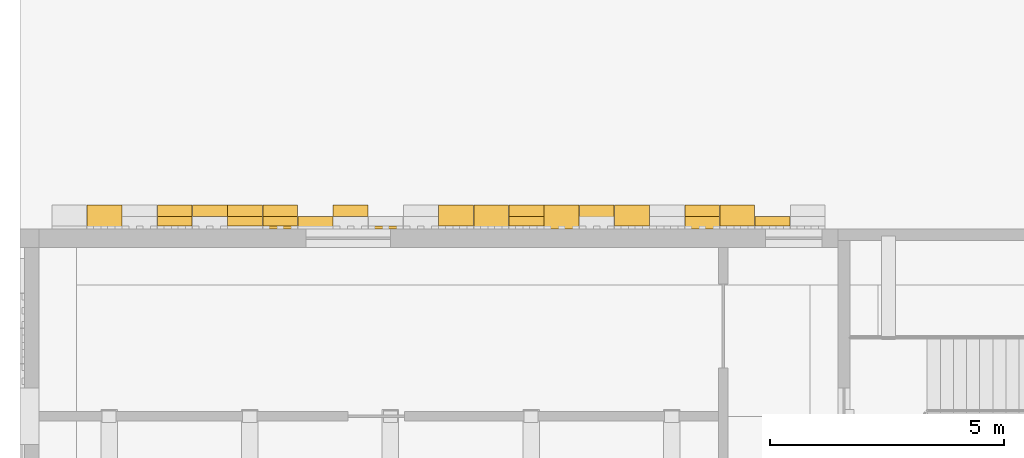
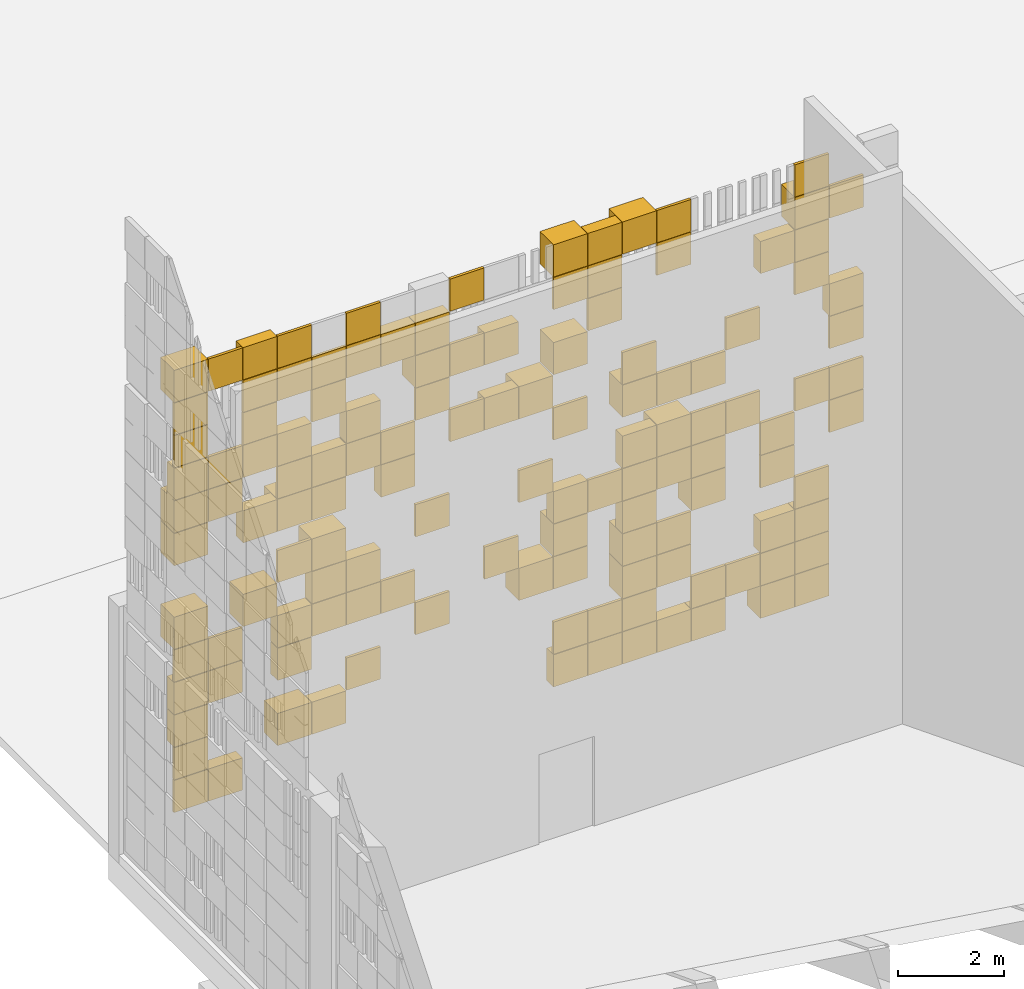
# One storey, part 115 of 125: 3 coverings.
"""IFC4 building model written with IfcOpenShell, lengths in metres."""

from ifc_helpers import new_model, si_unit, direction, frame, origin, origin_2d, place, context, subcontext, project, spatial, rectangle, extrude, material, layer, layer_set, type_object, element, save


model = new_model("IFC4")

# Units and contexts
model_context = context("Model", 3, precision=1e-05, world=origin(), true_north=direction((0.0, 1.0)))
body_context = subcontext(model_context, "Body", "Model", "MODEL_VIEW")
ifc_project = project(units=[si_unit("LENGTHUNIT", "METRE"), si_unit("AREAUNIT", "SQUARE_METRE"), si_unit("VOLUMEUNIT", "CUBIC_METRE"), si_unit("PLANEANGLEUNIT", "RADIAN"), si_unit("MASSUNIT", "GRAM", prefix="KILO")], contexts=[model_context])

# Site, building, storey
site_placement = place(None, origin())
site = spatial("IfcSite", under=ifc_project, at=site_placement, CompositionType="ELEMENT")
building_placement = place(site_placement, origin())
building = spatial("IfcBuilding", under=site, at=building_placement, Name="Sun Court Science Centre", CompositionType="ELEMENT")
storey_placement = place(building_placement, origin())
storey = spatial("IfcBuildingStorey", under=building, at=storey_placement, Name="L00", CompositionType="ELEMENT", Elevation=0.0)

# Coverings
ifc_material_1 = material(Name="Terracotta shade 2", Category="masonry")
ifc_layer_1 = layer(ifc_material_1, 0.06005859375)
ifc_layer_set_1 = layer_set([ifc_layer_1], Name="Terracotta shade 2")
covering_type_1 = type_object("IfcCoveringType", Name="Terracotta pixel panel shade 2", PredefinedType="CLADDING", material=ifc_layer_set_1)
covering_1_placement = place(storey_placement, origin())
element("IfcCovering", 1, at=covering_1_placement, inside=storey, type_object=covering_type_1, Name="Terracotta pixel cladding shade 2 north wall L00", PredefinedType="CLADDING", context=body_context, shape_type="SweptSolid", body=[
    extrude(rectangle(XDim=0.739990234375, YDim=0.260009765625, at=origin_2d()), frame((2.550048828125, 72.1298828125, 0.22998046875), z_axis=(0.0, 0.0, 1.0), x_axis=(1.0, 0.0, 0.0)), (0.0, 0.0, 1.0), 0.739990234375),
    extrude(rectangle(XDim=0.739990234375, YDim=0.260009765625, at=origin_2d()), frame((10.050048828125, 72.1298828125, 0.22998046875), z_axis=(0.0, 0.0, 1.0), x_axis=(1.0, 0.0, 0.0)), (0.0, 0.0, 1.0), 0.739990234375),
    extrude(rectangle(XDim=0.739990234375, YDim=0.260009765625, at=origin_2d()), frame((10.800048828125, 72.1298828125, 0.22998046875), z_axis=(0.0, 0.0, 1.0), x_axis=(1.0, 0.0, 0.0)), (0.0, 0.0, 1.0), 0.739990234375),
    extrude(rectangle(XDim=0.739990234375, YDim=0.260009765625, at=origin_2d()), frame((12.300048828125, 72.1298828125, 0.22998046875), z_axis=(0.0, 0.0, 1.0), x_axis=(1.0, 0.0, 0.0)), (0.0, 0.0, 1.0), 0.739990234375),
    extrude(rectangle(XDim=0.739990234375, YDim=0.510009765625, at=origin_2d()), frame((14.550048828125, 72.2548828125, 0.22998046875), z_axis=(0.0, 0.0, 1.0), x_axis=(1.0, 0.0, 0.0)), (0.0, 0.0, 1.0), 0.739990234375),
    extrude(rectangle(XDim=0.739990234375, YDim=0.06005859375, at=origin_2d()), frame((1.800048828125, 72.030029296875, 0.97998046875), z_axis=(0.0, 0.0, 1.0), x_axis=(1.0, 0.0, 0.0)), (0.0, 0.0, 1.0), 0.739990234375),
    extrude(rectangle(XDim=0.739990234375, YDim=0.510009765625, at=origin_2d()), frame((4.050048828125, 72.2548828125, 0.97998046875), z_axis=(0.0, 0.0, 1.0), x_axis=(1.0, 0.0, 0.0)), (0.0, 0.0, 1.0), 0.739990234375),
    extrude(rectangle(XDim=0.739990234375, YDim=0.06005859375, at=origin_2d()), frame((14.550048828125, 72.030029296875, 0.97998046875), z_axis=(0.0, 0.0, 1.0), x_axis=(1.0, 0.0, 0.0)), (0.0, 0.0, 1.0), 0.739990234375),
    extrude(rectangle(XDim=0.739990234375, YDim=0.260009765625, at=origin_2d()), frame((1.800048828125, 72.1298828125, 1.72998046875), z_axis=(0.0, 0.0, 1.0), x_axis=(1.0, 0.0, 0.0)), (0.0, 0.0, 1.0), 0.739990234375),
    extrude(rectangle(XDim=0.739990234375, YDim=0.510009765625, at=origin_2d()), frame((12.300048828125, 72.2548828125, 1.72998046875), z_axis=(0.0, 0.0, 1.0), x_axis=(1.0, 0.0, 0.0)), (0.0, 0.0, 1.0), 0.739990234375),
    extrude(rectangle(XDim=0.739990234375, YDim=0.260009765625, at=origin_2d()), frame((14.550048828125, 72.1298828125, 1.72998046875), z_axis=(0.0, 0.0, 1.0), x_axis=(1.0, 0.0, 0.0)), (0.0, 0.0, 1.0), 0.739990234375),
    extrude(rectangle(XDim=0.739990234375, YDim=0.260009765625, at=origin_2d()), frame((15.300048828125, 72.1298828125, 1.72998046875), z_axis=(0.0, 0.0, 1.0), x_axis=(1.0, 0.0, 0.0)), (0.0, 0.0, 1.0), 0.739990234375),
    extrude(rectangle(XDim=0.739990234375, YDim=0.260009765625, at=origin_2d()), frame((4.050048828125, 72.1298828125, 2.47998046875), z_axis=(0.0, 0.0, 1.0), x_axis=(1.0, 0.0, 0.0)), (0.0, 0.0, 1.0), 0.739990234375),
    extrude(rectangle(XDim=0.739990234375, YDim=0.06005859375, at=origin_2d()), frame((12.300048828125, 72.030029296875, 2.47998046875), z_axis=(0.0, 0.0, 1.0), x_axis=(1.0, 0.0, 0.0)), (0.0, 0.0, 1.0), 0.739990234375),
    extrude(rectangle(XDim=0.739990234375, YDim=0.06005859375, at=origin_2d()), frame((1.800048828125, 72.030029296875, 3.22998046875), z_axis=(0.0, 0.0, 1.0), x_axis=(1.0, 0.0, 0.0)), (0.0, 0.0, 1.0), 0.739990234375),
    extrude(rectangle(XDim=0.739990234375, YDim=0.260009765625, at=origin_2d()), frame((4.800048828125, 72.1298828125, 3.22998046875), z_axis=(0.0, 0.0, 1.0), x_axis=(1.0, 0.0, 0.0)), (0.0, 0.0, 1.0), 0.739990234375),
    extrude(rectangle(XDim=0.739990234375, YDim=0.510009765625, at=origin_2d()), frame((5.550048828125, 72.2548828125, 3.22998046875), z_axis=(0.0, 0.0, 1.0), x_axis=(1.0, 0.0, 0.0)), (0.0, 0.0, 1.0), 0.739990234375),
    extrude(rectangle(XDim=0.739990234375, YDim=0.510009765625, at=origin_2d()), frame((3.300048828125, 72.2548828125, 3.97998046875), z_axis=(0.0, 0.0, 1.0), x_axis=(1.0, 0.0, 0.0)), (0.0, 0.0, 1.0), 0.739990234375),
    extrude(rectangle(XDim=0.739990234375, YDim=0.260009765625, at=origin_2d()), frame((5.550048828125, 72.1298828125, 3.97998046875), z_axis=(0.0, 0.0, 1.0), x_axis=(1.0, 0.0, 0.0)), (0.0, 0.0, 1.0), 0.739990234375),
    extrude(rectangle(XDim=0.739990234375, YDim=0.260009765625, at=origin_2d()), frame((10.050048828125, 72.1298828125, 3.97998046875), z_axis=(0.0, 0.0, 1.0), x_axis=(1.0, 0.0, 0.0)), (0.0, 0.0, 1.0), 0.739990234375),
    extrude(rectangle(XDim=0.739990234375, YDim=0.06005859375, at=origin_2d()), frame((10.800048828125, 72.030029296875, 3.97998046875), z_axis=(0.0, 0.0, 1.0), x_axis=(1.0, 0.0, 0.0)), (0.0, 0.0, 1.0), 0.739990234375),
    extrude(rectangle(XDim=0.739990234375, YDim=0.06005859375, at=origin_2d()), frame((11.550048828125, 72.030029296875, 3.97998046875), z_axis=(0.0, 0.0, 1.0), x_axis=(1.0, 0.0, 0.0)), (0.0, 0.0, 1.0), 0.739990234375),
    extrude(rectangle(XDim=0.739990234375, YDim=0.06005859375, at=origin_2d()), frame((14.550048828125, 72.030029296875, 3.97998046875), z_axis=(0.0, 0.0, 1.0), x_axis=(1.0, 0.0, 0.0)), (0.0, 0.0, 1.0), 0.739990234375),
    extrude(rectangle(XDim=0.739990234375, YDim=0.510009765625, at=origin_2d()), frame((4.800048828125, 72.2548828125, 4.72998046875), z_axis=(0.0, 0.0, 1.0), x_axis=(1.0, 0.0, 0.0)), (0.0, 0.0, 1.0), 0.739990234375),
    extrude(rectangle(XDim=0.739990234375, YDim=0.06005859375, at=origin_2d()), frame((7.050048828125, 72.030029296875, 4.72998046875), z_axis=(0.0, 0.0, 1.0), x_axis=(1.0, 0.0, 0.0)), (0.0, 0.0, 1.0), 0.739990234375),
    extrude(rectangle(XDim=0.739990234375, YDim=0.510009765625, at=origin_2d()), frame((12.300048828125, 72.2548828125, 4.72998046875), z_axis=(0.0, 0.0, 1.0), x_axis=(1.0, 0.0, 0.0)), (0.0, 0.0, 1.0), 0.739990234375),
    extrude(rectangle(XDim=0.739990234375, YDim=0.06005859375, at=origin_2d()), frame((16.050048828125, 72.030029296875, 4.72998046875), z_axis=(0.0, 0.0, 1.0), x_axis=(1.0, 0.0, 0.0)), (0.0, 0.0, 1.0), 0.739990234375),
    extrude(rectangle(XDim=0.739990234375, YDim=0.260009765625, at=origin_2d()), frame((3.300048828125, 72.1298828125, 5.90478515625), z_axis=(0.0, 0.0, 1.0), x_axis=(1.0, 0.0, 0.0)), (0.0, 0.0, 1.0), 0.739990234375),
    extrude(rectangle(XDim=0.739990234375, YDim=0.510009765625, at=origin_2d()), frame((4.050048828125, 72.2548828125, 5.90478515625), z_axis=(0.0, 0.0, 1.0), x_axis=(1.0, 0.0, 0.0)), (0.0, 0.0, 1.0), 0.739990234375),
    extrude(rectangle(XDim=0.739990234375, YDim=0.260009765625, at=origin_2d()), frame((6.300048828125, 72.1298828125, 5.90478515625), z_axis=(0.0, 0.0, 1.0), x_axis=(1.0, 0.0, 0.0)), (0.0, 0.0, 1.0), 0.739990234375),
    extrude(rectangle(XDim=0.739990234375, YDim=0.510009765625, at=origin_2d()), frame((11.550048828125, 72.2548828125, 5.90478515625), z_axis=(0.0, 0.0, 1.0), x_axis=(1.0, 0.0, 0.0)), (0.0, 0.0, 1.0), 0.739990234375),
    extrude(rectangle(XDim=0.739990234375, YDim=0.06005859375, at=origin_2d()), frame((12.300048828125, 72.030029296875, 5.90478515625), z_axis=(0.0, 0.0, 1.0), x_axis=(1.0, 0.0, 0.0)), (0.0, 0.0, 1.0), 0.739990234375),
    extrude(rectangle(XDim=0.739990234375, YDim=0.06005859375, at=origin_2d()), frame((13.050048828125, 72.030029296875, 5.90478515625), z_axis=(0.0, 0.0, 1.0), x_axis=(1.0, 0.0, 0.0)), (0.0, 0.0, 1.0), 0.739990234375),
    extrude(rectangle(XDim=0.739990234375, YDim=0.06005859375, at=origin_2d()), frame((16.050048828125, 72.030029296875, 5.90478515625), z_axis=(0.0, 0.0, 1.0), x_axis=(1.0, 0.0, 0.0)), (0.0, 0.0, 1.0), 0.739990234375),
    extrude(rectangle(XDim=0.739990234375, YDim=0.260009765625, at=origin_2d()), frame((2.550048828125, 72.1298828125, 6.65478515625), z_axis=(0.0, 0.0, 1.0), x_axis=(1.0, 0.0, 0.0)), (0.0, 0.0, 1.0), 0.739990234375),
    extrude(rectangle(XDim=0.739990234375, YDim=0.06005859375, at=origin_2d()), frame((4.050048828125, 72.030029296875, 6.65478515625), z_axis=(0.0, 0.0, 1.0), x_axis=(1.0, 0.0, 0.0)), (0.0, 0.0, 1.0), 0.739990234375),
    extrude(rectangle(XDim=0.739990234375, YDim=0.260009765625, at=origin_2d()), frame((4.800048828125, 72.1298828125, 6.65478515625), z_axis=(0.0, 0.0, 1.0), x_axis=(1.0, 0.0, 0.0)), (0.0, 0.0, 1.0), 0.739990234375),
    extrude(rectangle(XDim=0.739990234375, YDim=0.06005859375, at=origin_2d()), frame((6.300048828125, 72.030029296875, 6.65478515625), z_axis=(0.0, 0.0, 1.0), x_axis=(1.0, 0.0, 0.0)), (0.0, 0.0, 1.0), 0.739990234375),
    extrude(rectangle(XDim=0.739990234375, YDim=0.06005859375, at=origin_2d()), frame((7.800048828125, 72.030029296875, 6.65478515625), z_axis=(0.0, 0.0, 1.0), x_axis=(1.0, 0.0, 0.0)), (0.0, 0.0, 1.0), 0.739990234375),
    extrude(rectangle(XDim=0.739990234375, YDim=0.510009765625, at=origin_2d()), frame((9.300048828125, 72.2548828125, 6.65478515625), z_axis=(0.0, 0.0, 1.0), x_axis=(1.0, 0.0, 0.0)), (0.0, 0.0, 1.0), 0.739990234375),
    extrude(rectangle(XDim=0.739990234375, YDim=0.06005859375, at=origin_2d()), frame((1.800048828125, 72.030029296875, 8.15478515625), z_axis=(0.0, 0.0, 1.0), x_axis=(1.0, 0.0, 0.0)), (0.0, 0.0, 1.0), 0.739990234375),
    extrude(rectangle(XDim=0.739990234375, YDim=0.06005859375, at=origin_2d()), frame((4.800048828125, 72.030029296875, 8.15478515625), z_axis=(0.0, 0.0, 1.0), x_axis=(1.0, 0.0, 0.0)), (0.0, 0.0, 1.0), 0.739990234375),
    extrude(rectangle(XDim=0.739990234375, YDim=0.06005859375, at=origin_2d()), frame((4.050048828125, 72.030029296875, 8.90478515625), z_axis=(0.0, 0.0, 1.0), x_axis=(1.0, 0.0, 0.0)), (0.0, 0.0, 1.0), 0.739990234375),
    extrude(rectangle(XDim=0.739990234375, YDim=0.06005859375, at=origin_2d()), frame((4.800048828125, 72.030029296875, 8.90478515625), z_axis=(0.0, 0.0, 1.0), x_axis=(1.0, 0.0, 0.0)), (0.0, 0.0, 1.0), 0.739990234375),
    extrude(rectangle(XDim=0.739990234375, YDim=0.06005859375, at=origin_2d()), frame((5.550048828125, 72.030029296875, 8.90478515625), z_axis=(0.0, 0.0, 1.0), x_axis=(1.0, 0.0, 0.0)), (0.0, 0.0, 1.0), 0.739990234375),
    extrude(rectangle(XDim=0.739990234375, YDim=0.510009765625, at=origin_2d()), frame((10.800048828125, 72.2548828125, 8.90478515625), z_axis=(0.0, 0.0, 1.0), x_axis=(1.0, 0.0, 0.0)), (0.0, 0.0, 1.0), 0.739990234375),
    extrude(rectangle(XDim=0.739990234375, YDim=0.06005859375, at=origin_2d()), frame((2.550048828125, 72.030029296875, 9.65478515625), z_axis=(0.0, 0.0, 1.0), x_axis=(1.0, 0.0, 0.0)), (0.0, 0.0, 1.0), 0.739990234375),
    extrude(rectangle(XDim=0.739990234375, YDim=0.260009765625, at=origin_2d()), frame((3.300048828125, 72.1298828125, 9.65478515625), z_axis=(0.0, 0.0, 1.0), x_axis=(1.0, 0.0, 0.0)), (0.0, 0.0, 1.0), 0.739990234375),
    extrude(rectangle(XDim=0.739990234375, YDim=0.06005859375, at=origin_2d()), frame((7.800048828125, 72.030029296875, 9.65478515625), z_axis=(0.0, 0.0, 1.0), x_axis=(1.0, 0.0, 0.0)), (0.0, 0.0, 1.0), 0.739990234375),
    extrude(rectangle(XDim=0.739990234375, YDim=0.510009765625, at=origin_2d()), frame((10.050048828125, 72.2548828125, 9.65478515625), z_axis=(0.0, 0.0, 1.0), x_axis=(1.0, 0.0, 0.0)), (0.0, 0.0, 1.0), 0.739990234375),
    extrude(rectangle(XDim=0.739990234375, YDim=0.260009765625, at=origin_2d()), frame((10.800048828125, 72.1298828125, 9.65478515625), z_axis=(0.0, 0.0, 1.0), x_axis=(1.0, 0.0, 0.0)), (0.0, 0.0, 1.0), 0.739990234375),
    extrude(rectangle(XDim=0.739990234375, YDim=0.510009765625, at=origin_2d()), frame((1.800048828125, 72.2548828125, 5.90478515625), z_axis=(0.0, 0.0, 1.0), x_axis=(1.0, 0.0, 0.0)), (0.0, 0.0, 1.0), 0.739990234375),
    extrude(rectangle(XDim=0.739990234375, YDim=0.510009765625, at=origin_2d()), frame((1.800048828125, 72.2548828125, 6.65478515625), z_axis=(0.0, 0.0, 1.0), x_axis=(1.0, 0.0, 0.0)), (0.0, 0.0, 1.0), 0.739990234375),
    extrude(rectangle(XDim=0.739990234375, YDim=0.260009765625, at=origin_2d()), frame((1.800048828125, 72.1298828125, 7.40478515625), z_axis=(0.0, 0.0, 1.0), x_axis=(1.0, 0.0, 0.0)), (0.0, 0.0, 1.0), 0.739990234375),
    extrude(rectangle(XDim=0.739990234375, YDim=0.06005859375, at=origin_2d()), frame((1.800048828125, 72.030029296875, 8.90478515625), z_axis=(0.0, 0.0, 1.0), x_axis=(1.0, 0.0, 0.0)), (0.0, 0.0, 1.0), 0.739990234375),
    extrude(rectangle(XDim=0.739990234375, YDim=0.510009765625, at=origin_2d()), frame((1.800048828125, 72.2548828125, 3.97998046875), z_axis=(0.0, 0.0, 1.0), x_axis=(1.0, 0.0, 0.0)), (0.0, 0.0, 1.0), 0.739990234375),
    extrude(rectangle(XDim=0.739990234375, YDim=0.510009765625, at=origin_2d()), frame((1.800048828125, 72.2548828125, 9.65478515625), z_axis=(0.0, 0.0, 1.0), x_axis=(1.0, 0.0, 0.0)), (0.0, 0.0, 1.0), 0.739990234375),
    extrude(rectangle(XDim=0.739990234375, YDim=0.06005859375, at=origin_2d()), frame((16.050048828125, 72.030029296875, 3.97998046875), z_axis=(0.0, 0.0, 1.0), x_axis=(1.0, 0.0, 0.0)), (0.0, 0.0, 1.0), 0.739990234375),
    extrude(rectangle(XDim=0.739990234375, YDim=0.06005859375, at=origin_2d()), frame((16.050048828125, 72.030029296875, 8.90478515625), z_axis=(0.0, 0.0, 1.0), x_axis=(1.0, 0.0, 0.0)), (0.0, 0.0, 1.0), 0.739990234375),
    extrude(rectangle(XDim=0.739990234375, YDim=0.06005859375, at=origin_2d()), frame((1.800048828125, 72.030029296875, 0.22998046875), z_axis=(0.0, 0.0, 1.0), x_axis=(1.0, 0.0, 0.0)), (0.0, 0.0, 1.0), 0.739990234375),
    extrude(rectangle(XDim=0.739990234375, YDim=0.260009765625, at=origin_2d()), frame((1.800048828125, 72.1298828125, 2.47998046875), z_axis=(0.0, 0.0, 1.0), x_axis=(1.0, 0.0, 0.0)), (0.0, 0.0, 1.0), 0.739990234375),
    extrude(rectangle(XDim=0.739990234375, YDim=0.260009765625, at=origin_2d()), frame((16.050048828125, 72.1298828125, 6.65478515625), z_axis=(0.0, 0.0, 1.0), x_axis=(1.0, 0.0, 0.0)), (0.0, 0.0, 1.0), 0.739990234375),
])
ifc_material_2 = material(Name="Terracotta shade 3", Category="masonry")
ifc_layer_2 = layer(ifc_material_2, 0.06005859375)
ifc_layer_set_2 = layer_set([ifc_layer_2], Name="Terracotta shade 3")
covering_type_2 = type_object("IfcCoveringType", Name="Terracotta pixel panel shade 3", PredefinedType="CLADDING", material=ifc_layer_set_2)
covering_2_placement = place(storey_placement, origin())
element("IfcCovering", 2, at=covering_2_placement, inside=storey, type_object=covering_type_2, Name="Terracotta pixel cladding shade 3 north wall L00", PredefinedType="CLADDING", context=body_context, shape_type="SweptSolid", body=[
    extrude(rectangle(XDim=0.739990234375, YDim=0.260009765625, at=origin_2d()), frame((13.050048828125, 72.1298828125, 0.22998046875), z_axis=(0.0, 0.0, 1.0), x_axis=(1.0, 0.0, 0.0)), (0.0, 0.0, 1.0), 0.739990234375),
    extrude(rectangle(XDim=0.739990234375, YDim=0.510009765625, at=origin_2d()), frame((15.300048828125, 72.2548828125, 0.22998046875), z_axis=(0.0, 0.0, 1.0), x_axis=(1.0, 0.0, 0.0)), (0.0, 0.0, 1.0), 0.739990234375),
    extrude(rectangle(XDim=0.739990234375, YDim=0.260009765625, at=origin_2d()), frame((4.800048828125, 72.1298828125, 0.97998046875), z_axis=(0.0, 0.0, 1.0), x_axis=(1.0, 0.0, 0.0)), (0.0, 0.0, 1.0), 0.739990234375),
    extrude(rectangle(XDim=0.739990234375, YDim=0.06005859375, at=origin_2d()), frame((10.050048828125, 72.030029296875, 0.97998046875), z_axis=(0.0, 0.0, 1.0), x_axis=(1.0, 0.0, 0.0)), (0.0, 0.0, 1.0), 0.739990234375),
    extrude(rectangle(XDim=0.739990234375, YDim=0.06005859375, at=origin_2d()), frame((11.550048828125, 72.030029296875, 0.97998046875), z_axis=(0.0, 0.0, 1.0), x_axis=(1.0, 0.0, 0.0)), (0.0, 0.0, 1.0), 0.739990234375),
    extrude(rectangle(XDim=0.739990234375, YDim=0.06005859375, at=origin_2d()), frame((13.050048828125, 72.030029296875, 0.97998046875), z_axis=(0.0, 0.0, 1.0), x_axis=(1.0, 0.0, 0.0)), (0.0, 0.0, 1.0), 0.739990234375),
    extrude(rectangle(XDim=0.739990234375, YDim=0.260009765625, at=origin_2d()), frame((15.300048828125, 72.1298828125, 0.97998046875), z_axis=(0.0, 0.0, 1.0), x_axis=(1.0, 0.0, 0.0)), (0.0, 0.0, 1.0), 0.739990234375),
    extrude(rectangle(XDim=0.739990234375, YDim=0.06005859375, at=origin_2d()), frame((5.550048828125, 72.030029296875, 1.72998046875), z_axis=(0.0, 0.0, 1.0), x_axis=(1.0, 0.0, 0.0)), (0.0, 0.0, 1.0), 0.739990234375),
    extrude(rectangle(XDim=0.739990234375, YDim=0.510009765625, at=origin_2d()), frame((11.550048828125, 72.2548828125, 1.72998046875), z_axis=(0.0, 0.0, 1.0), x_axis=(1.0, 0.0, 0.0)), (0.0, 0.0, 1.0), 0.739990234375),
    extrude(rectangle(XDim=0.739990234375, YDim=0.260009765625, at=origin_2d()), frame((2.550048828125, 72.1298828125, 2.47998046875), z_axis=(0.0, 0.0, 1.0), x_axis=(1.0, 0.0, 0.0)), (0.0, 0.0, 1.0), 0.739990234375),
    extrude(rectangle(XDim=0.739990234375, YDim=0.06005859375, at=origin_2d()), frame((7.050048828125, 72.030029296875, 2.47998046875), z_axis=(0.0, 0.0, 1.0), x_axis=(1.0, 0.0, 0.0)), (0.0, 0.0, 1.0), 0.739990234375),
    extrude(rectangle(XDim=0.739990234375, YDim=0.06005859375, at=origin_2d()), frame((10.050048828125, 72.030029296875, 2.47998046875), z_axis=(0.0, 0.0, 1.0), x_axis=(1.0, 0.0, 0.0)), (0.0, 0.0, 1.0), 0.739990234375),
    extrude(rectangle(XDim=0.739990234375, YDim=0.510009765625, at=origin_2d()), frame((11.550048828125, 72.2548828125, 2.47998046875), z_axis=(0.0, 0.0, 1.0), x_axis=(1.0, 0.0, 0.0)), (0.0, 0.0, 1.0), 0.739990234375),
    extrude(rectangle(XDim=0.739990234375, YDim=0.06005859375, at=origin_2d()), frame((15.300048828125, 72.030029296875, 2.47998046875), z_axis=(0.0, 0.0, 1.0), x_axis=(1.0, 0.0, 0.0)), (0.0, 0.0, 1.0), 0.739990234375),
    extrude(rectangle(XDim=0.739990234375, YDim=0.06005859375, at=origin_2d()), frame((6.300048828125, 72.030029296875, 3.22998046875), z_axis=(0.0, 0.0, 1.0), x_axis=(1.0, 0.0, 0.0)), (0.0, 0.0, 1.0), 0.739990234375),
    extrude(rectangle(XDim=0.739990234375, YDim=0.06005859375, at=origin_2d()), frame((8.550048828125, 72.030029296875, 3.22998046875), z_axis=(0.0, 0.0, 1.0), x_axis=(1.0, 0.0, 0.0)), (0.0, 0.0, 1.0), 0.739990234375),
    extrude(rectangle(XDim=0.739990234375, YDim=0.510009765625, at=origin_2d()), frame((10.050048828125, 72.2548828125, 3.22998046875), z_axis=(0.0, 0.0, 1.0), x_axis=(1.0, 0.0, 0.0)), (0.0, 0.0, 1.0), 0.739990234375),
    extrude(rectangle(XDim=0.739990234375, YDim=0.510009765625, at=origin_2d()), frame((13.050048828125, 72.2548828125, 3.22998046875), z_axis=(0.0, 0.0, 1.0), x_axis=(1.0, 0.0, 0.0)), (0.0, 0.0, 1.0), 0.739990234375),
    extrude(rectangle(XDim=0.739990234375, YDim=0.06005859375, at=origin_2d()), frame((14.550048828125, 72.030029296875, 3.22998046875), z_axis=(0.0, 0.0, 1.0), x_axis=(1.0, 0.0, 0.0)), (0.0, 0.0, 1.0), 0.739990234375),
    extrude(rectangle(XDim=0.739990234375, YDim=0.06005859375, at=origin_2d()), frame((12.300048828125, 72.030029296875, 3.97998046875), z_axis=(0.0, 0.0, 1.0), x_axis=(1.0, 0.0, 0.0)), (0.0, 0.0, 1.0), 0.739990234375),
    extrude(rectangle(XDim=0.739990234375, YDim=0.06005859375, at=origin_2d()), frame((13.800048828125, 72.030029296875, 4.72998046875), z_axis=(0.0, 0.0, 1.0), x_axis=(1.0, 0.0, 0.0)), (0.0, 0.0, 1.0), 0.739990234375),
    extrude(rectangle(XDim=0.739990234375, YDim=0.06005859375, at=origin_2d()), frame((10.050048828125, 72.030029296875, 5.90478515625), z_axis=(0.0, 0.0, 1.0), x_axis=(1.0, 0.0, 0.0)), (0.0, 0.0, 1.0), 0.739990234375),
    extrude(rectangle(XDim=0.739990234375, YDim=0.260009765625, at=origin_2d()), frame((5.550048828125, 72.1298828125, 6.65478515625), z_axis=(0.0, 0.0, 1.0), x_axis=(1.0, 0.0, 0.0)), (0.0, 0.0, 1.0), 0.739990234375),
    extrude(rectangle(XDim=0.739990234375, YDim=0.260009765625, at=origin_2d()), frame((8.550048828125, 72.1298828125, 6.65478515625), z_axis=(0.0, 0.0, 1.0), x_axis=(1.0, 0.0, 0.0)), (0.0, 0.0, 1.0), 0.739990234375),
    extrude(rectangle(XDim=0.739990234375, YDim=0.06005859375, at=origin_2d()), frame((13.800048828125, 72.030029296875, 6.65478515625), z_axis=(0.0, 0.0, 1.0), x_axis=(1.0, 0.0, 0.0)), (0.0, 0.0, 1.0), 0.739990234375),
    extrude(rectangle(XDim=0.739990234375, YDim=0.06005859375, at=origin_2d()), frame((2.550048828125, 72.030029296875, 7.40478515625), z_axis=(0.0, 0.0, 1.0), x_axis=(1.0, 0.0, 0.0)), (0.0, 0.0, 1.0), 0.739990234375),
    extrude(rectangle(XDim=0.739990234375, YDim=0.260009765625, at=origin_2d()), frame((5.550048828125, 72.1298828125, 7.40478515625), z_axis=(0.0, 0.0, 1.0), x_axis=(1.0, 0.0, 0.0)), (0.0, 0.0, 1.0), 0.739990234375),
    extrude(rectangle(XDim=0.739990234375, YDim=0.510009765625, at=origin_2d()), frame((7.050048828125, 72.2548828125, 8.15478515625), z_axis=(0.0, 0.0, 1.0), x_axis=(1.0, 0.0, 0.0)), (0.0, 0.0, 1.0), 0.739990234375),
    extrude(rectangle(XDim=0.739990234375, YDim=0.260009765625, at=origin_2d()), frame((8.550048828125, 72.1298828125, 8.15478515625), z_axis=(0.0, 0.0, 1.0), x_axis=(1.0, 0.0, 0.0)), (0.0, 0.0, 1.0), 0.739990234375),
    extrude(rectangle(XDim=0.739990234375, YDim=0.06005859375, at=origin_2d()), frame((10.800048828125, 72.030029296875, 8.15478515625), z_axis=(0.0, 0.0, 1.0), x_axis=(1.0, 0.0, 0.0)), (0.0, 0.0, 1.0), 0.739990234375),
    extrude(rectangle(XDim=0.739990234375, YDim=0.260009765625, at=origin_2d()), frame((6.300048828125, 72.1298828125, 8.90478515625), z_axis=(0.0, 0.0, 1.0), x_axis=(1.0, 0.0, 0.0)), (0.0, 0.0, 1.0), 0.739990234375),
    extrude(rectangle(XDim=0.739990234375, YDim=0.06005859375, at=origin_2d()), frame((10.050048828125, 72.030029296875, 8.90478515625), z_axis=(0.0, 0.0, 1.0), x_axis=(1.0, 0.0, 0.0)), (0.0, 0.0, 1.0), 0.739990234375),
    extrude(rectangle(XDim=0.739990234375, YDim=0.06005859375, at=origin_2d()), frame((12.300048828125, 72.030029296875, 8.90478515625), z_axis=(0.0, 0.0, 1.0), x_axis=(1.0, 0.0, 0.0)), (0.0, 0.0, 1.0), 0.739990234375),
    extrude(rectangle(XDim=0.739990234375, YDim=0.510009765625, at=origin_2d()), frame((15.300048828125, 72.2548828125, 8.90478515625), z_axis=(0.0, 0.0, 1.0), x_axis=(1.0, 0.0, 0.0)), (0.0, 0.0, 1.0), 0.739990234375),
    extrude(rectangle(XDim=0.739990234375, YDim=0.06005859375, at=origin_2d()), frame((4.050048828125, 72.030029296875, 9.65478515625), z_axis=(0.0, 0.0, 1.0), x_axis=(1.0, 0.0, 0.0)), (0.0, 0.0, 1.0), 0.739990234375),
    extrude(rectangle(XDim=0.739990234375, YDim=0.06005859375, at=origin_2d()), frame((12.300048828125, 72.030029296875, 9.65478515625), z_axis=(0.0, 0.0, 1.0), x_axis=(1.0, 0.0, 0.0)), (0.0, 0.0, 1.0), 0.739990234375),
    extrude(rectangle(XDim=0.739990234375, YDim=0.06005859375, at=origin_2d()), frame((2.550048828125, 72.030029296875, 3.22998046875), z_axis=(0.0, 0.0, 1.0), x_axis=(1.0, 0.0, 0.0)), (0.0, 0.0, 1.0), 0.739990234375),
    extrude(rectangle(XDim=0.739990234375, YDim=0.06005859375, at=origin_2d()), frame((15.300048828125, 72.030029296875, 7.40478515625), z_axis=(0.0, 0.0, 1.0), x_axis=(1.0, 0.0, 0.0)), (0.0, 0.0, 1.0), 0.739990234375),
    extrude(rectangle(XDim=0.739990234375, YDim=0.06005859375, at=origin_2d()), frame((15.300048828125, 72.030029296875, 4.72998046875), z_axis=(0.0, 0.0, 1.0), x_axis=(1.0, 0.0, 0.0)), (0.0, 0.0, 1.0), 0.739990234375),
    extrude(rectangle(XDim=0.739990234375, YDim=0.260009765625, at=origin_2d()), frame((15.300048828125, 72.1298828125, 8.15478515625), z_axis=(0.0, 0.0, 1.0), x_axis=(1.0, 0.0, 0.0)), (0.0, 0.0, 1.0), 0.739990234375),
    extrude(rectangle(XDim=0.739990234375, YDim=0.06005859375, at=origin_2d()), frame((15.300048828125, 72.030029296875, 9.65478515625), z_axis=(0.0, 0.0, 1.0), x_axis=(1.0, 0.0, 0.0)), (0.0, 0.0, 1.0), 0.739990234375),
])
ifc_material_3 = material(Name="Terracotta shade 4", Category="masonry")
ifc_layer_3 = layer(ifc_material_3, 0.06005859375)
ifc_layer_set_3 = layer_set([ifc_layer_3], Name="Terracotta shade 4")
covering_type_3 = type_object("IfcCoveringType", Name="Terracotta pixel panel shade 4", PredefinedType="CLADDING", material=ifc_layer_set_3)
covering_3_placement = place(storey_placement, origin())
element("IfcCovering", 3, at=covering_3_placement, inside=storey, type_object=covering_type_3, Name="Terracotta pixel cladding shade 4 north wall L00", PredefinedType="CLADDING", context=body_context, shape_type="SweptSolid", body=[
    extrude(rectangle(XDim=0.739990234375, YDim=0.510009765625, at=origin_2d()), frame((11.550048828125, 72.2548828125, 0.22998046875), z_axis=(0.0, 0.0, 1.0), x_axis=(1.0, 0.0, 0.0)), (0.0, 0.0, 1.0), 0.739990234375),
    extrude(rectangle(XDim=0.739990234375, YDim=0.06005859375, at=origin_2d()), frame((10.800048828125, 72.030029296875, 0.97998046875), z_axis=(0.0, 0.0, 1.0), x_axis=(1.0, 0.0, 0.0)), (0.0, 0.0, 1.0), 0.739990234375),
    extrude(rectangle(XDim=0.739990234375, YDim=0.06005859375, at=origin_2d()), frame((13.800048828125, 72.030029296875, 0.97998046875), z_axis=(0.0, 0.0, 1.0), x_axis=(1.0, 0.0, 0.0)), (0.0, 0.0, 1.0), 0.739990234375),
    extrude(rectangle(XDim=0.739990234375, YDim=0.510009765625, at=origin_2d()), frame((9.300048828125, 72.2548828125, 2.47998046875), z_axis=(0.0, 0.0, 1.0), x_axis=(1.0, 0.0, 0.0)), (0.0, 0.0, 1.0), 0.739990234375),
    extrude(rectangle(XDim=0.739990234375, YDim=0.260009765625, at=origin_2d()), frame((4.050048828125, 72.1298828125, 3.22998046875), z_axis=(0.0, 0.0, 1.0), x_axis=(1.0, 0.0, 0.0)), (0.0, 0.0, 1.0), 0.739990234375),
    extrude(rectangle(XDim=0.739990234375, YDim=0.260009765625, at=origin_2d()), frame((11.550048828125, 72.1298828125, 3.22998046875), z_axis=(0.0, 0.0, 1.0), x_axis=(1.0, 0.0, 0.0)), (0.0, 0.0, 1.0), 0.739990234375),
    extrude(rectangle(XDim=0.739990234375, YDim=0.260009765625, at=origin_2d()), frame((4.800048828125, 72.1298828125, 3.97998046875), z_axis=(0.0, 0.0, 1.0), x_axis=(1.0, 0.0, 0.0)), (0.0, 0.0, 1.0), 0.739990234375),
    extrude(rectangle(XDim=0.739990234375, YDim=0.06005859375, at=origin_2d()), frame((13.050048828125, 72.030029296875, 3.97998046875), z_axis=(0.0, 0.0, 1.0), x_axis=(1.0, 0.0, 0.0)), (0.0, 0.0, 1.0), 0.739990234375),
    extrude(rectangle(XDim=0.739990234375, YDim=0.06005859375, at=origin_2d()), frame((4.050048828125, 72.030029296875, 4.72998046875), z_axis=(0.0, 0.0, 1.0), x_axis=(1.0, 0.0, 0.0)), (0.0, 0.0, 1.0), 0.739990234375),
    extrude(rectangle(XDim=0.739990234375, YDim=0.06005859375, at=origin_2d()), frame((9.300048828125, 72.030029296875, 4.72998046875), z_axis=(0.0, 0.0, 1.0), x_axis=(1.0, 0.0, 0.0)), (0.0, 0.0, 1.0), 0.739990234375),
    extrude(rectangle(XDim=0.739990234375, YDim=0.260009765625, at=origin_2d()), frame((11.550048828125, 72.1298828125, 4.72998046875), z_axis=(0.0, 0.0, 1.0), x_axis=(1.0, 0.0, 0.0)), (0.0, 0.0, 1.0), 0.739990234375),
    extrude(rectangle(XDim=0.739990234375, YDim=0.06005859375, at=origin_2d()), frame((13.050048828125, 72.030029296875, 4.72998046875), z_axis=(0.0, 0.0, 1.0), x_axis=(1.0, 0.0, 0.0)), (0.0, 0.0, 1.0), 0.739990234375),
    extrude(rectangle(XDim=0.739990234375, YDim=0.06005859375, at=origin_2d()), frame((4.800048828125, 72.030029296875, 5.90478515625), z_axis=(0.0, 0.0, 1.0), x_axis=(1.0, 0.0, 0.0)), (0.0, 0.0, 1.0), 0.739990234375),
    extrude(rectangle(XDim=0.739990234375, YDim=0.06005859375, at=origin_2d()), frame((11.550048828125, 72.030029296875, 6.65478515625), z_axis=(0.0, 0.0, 1.0), x_axis=(1.0, 0.0, 0.0)), (0.0, 0.0, 1.0), 0.739990234375),
    extrude(rectangle(XDim=0.739990234375, YDim=0.06005859375, at=origin_2d()), frame((3.300048828125, 72.030029296875, 7.40478515625), z_axis=(0.0, 0.0, 1.0), x_axis=(1.0, 0.0, 0.0)), (0.0, 0.0, 1.0), 0.739990234375),
    extrude(rectangle(XDim=0.739990234375, YDim=0.260009765625, at=origin_2d()), frame((4.050048828125, 72.1298828125, 7.40478515625), z_axis=(0.0, 0.0, 1.0), x_axis=(1.0, 0.0, 0.0)), (0.0, 0.0, 1.0), 0.739990234375),
    extrude(rectangle(XDim=0.739990234375, YDim=0.06005859375, at=origin_2d()), frame((7.050048828125, 72.030029296875, 7.40478515625), z_axis=(0.0, 0.0, 1.0), x_axis=(1.0, 0.0, 0.0)), (0.0, 0.0, 1.0), 0.739990234375),
    extrude(rectangle(XDim=0.739990234375, YDim=0.510009765625, at=origin_2d()), frame((10.050048828125, 72.2548828125, 7.40478515625), z_axis=(0.0, 0.0, 1.0), x_axis=(1.0, 0.0, 0.0)), (0.0, 0.0, 1.0), 0.739990234375),
    extrude(rectangle(XDim=0.739990234375, YDim=0.06005859375, at=origin_2d()), frame((3.300048828125, 72.030029296875, 8.15478515625), z_axis=(0.0, 0.0, 1.0), x_axis=(1.0, 0.0, 0.0)), (0.0, 0.0, 1.0), 0.739990234375),
    extrude(rectangle(XDim=0.739990234375, YDim=0.06005859375, at=origin_2d()), frame((7.800048828125, 72.030029296875, 8.15478515625), z_axis=(0.0, 0.0, 1.0), x_axis=(1.0, 0.0, 0.0)), (0.0, 0.0, 1.0), 0.739990234375),
    extrude(rectangle(XDim=0.739990234375, YDim=0.260009765625, at=origin_2d()), frame((14.550048828125, 72.1298828125, 8.15478515625), z_axis=(0.0, 0.0, 1.0), x_axis=(1.0, 0.0, 0.0)), (0.0, 0.0, 1.0), 0.739990234375),
    extrude(rectangle(XDim=0.739990234375, YDim=0.06005859375, at=origin_2d()), frame((3.300048828125, 72.030029296875, 8.90478515625), z_axis=(0.0, 0.0, 1.0), x_axis=(1.0, 0.0, 0.0)), (0.0, 0.0, 1.0), 0.739990234375),
    extrude(rectangle(XDim=0.739990234375, YDim=0.260009765625, at=origin_2d()), frame((7.050048828125, 72.1298828125, 8.90478515625), z_axis=(0.0, 0.0, 1.0), x_axis=(1.0, 0.0, 0.0)), (0.0, 0.0, 1.0), 0.739990234375),
    extrude(rectangle(XDim=0.739990234375, YDim=0.06005859375, at=origin_2d()), frame((5.550048828125, 72.030029296875, 9.65478515625), z_axis=(0.0, 0.0, 1.0), x_axis=(1.0, 0.0, 0.0)), (0.0, 0.0, 1.0), 0.739990234375),
    extrude(rectangle(XDim=0.739990234375, YDim=0.510009765625, at=origin_2d()), frame((11.550048828125, 72.2548828125, 9.65478515625), z_axis=(0.0, 0.0, 1.0), x_axis=(1.0, 0.0, 0.0)), (0.0, 0.0, 1.0), 0.739990234375),
])

save(model, "model.ifc")
